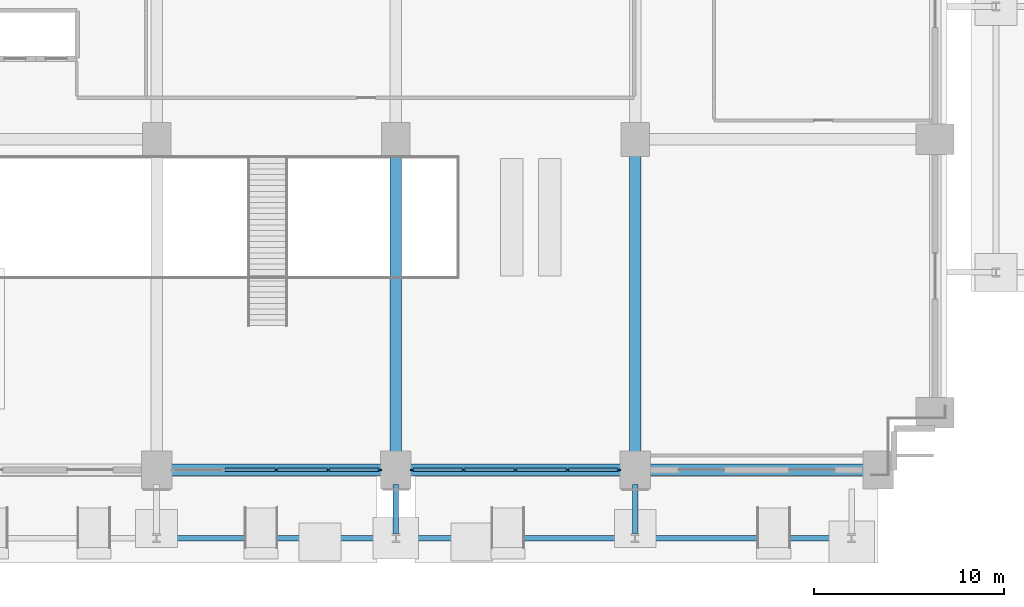
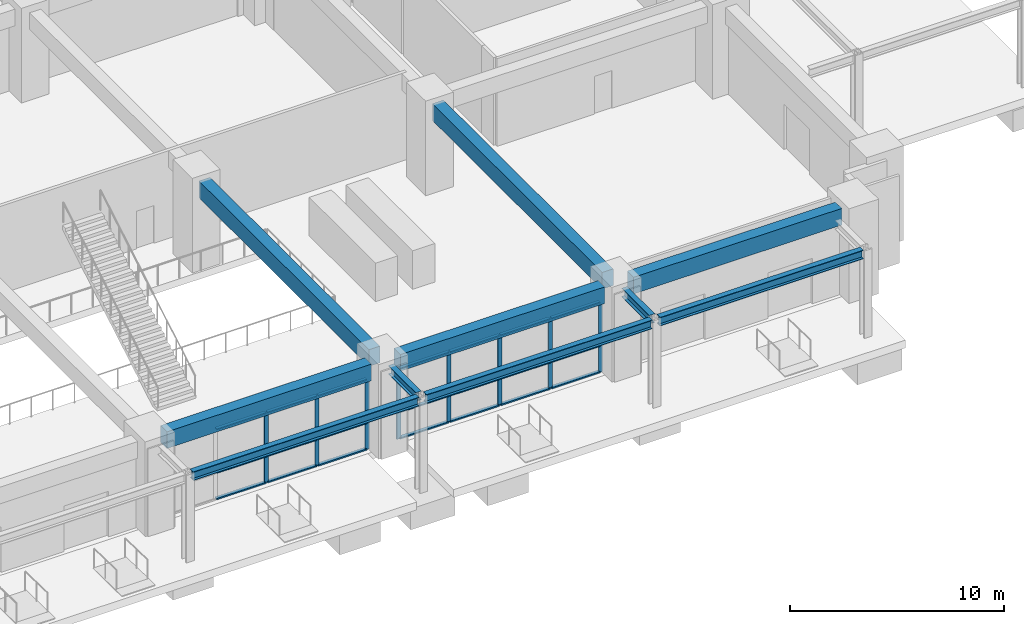
# One storey, part 3 of 14: 29 members, 10 beams, 2 elements without a shape of their own.
"""IFC4 building model written with IfcOpenShell, lengths in metres."""

from ifc_helpers import new_model, si_unit, direction, frame, origin, origin_2d, place, context, subcontext, project, spatial, rectangle, i_section, extrude, material, layer, layer_set, material_profile, profile_set, type_object, element, aggregate, save


model = new_model("IFC4")

# Units and contexts
model_context = context("Model", 3, precision=1e-05, world=origin(), true_north=direction((0.0, 1.0)))
body_context = subcontext(model_context, "Body", "Model", "MODEL_VIEW")
ifc_project = project(units=[si_unit("LENGTHUNIT", "METRE"), si_unit("AREAUNIT", "SQUARE_METRE"), si_unit("VOLUMEUNIT", "CUBIC_METRE"), si_unit("PLANEANGLEUNIT", "RADIAN"), si_unit("MASSUNIT", "GRAM", prefix="KILO")], contexts=[model_context])

# Site, building, storey
site_placement = place(None, origin())
site = spatial("IfcSite", under=ifc_project, at=site_placement, CompositionType="ELEMENT")
building_placement = place(site_placement, origin())
building = spatial("IfcBuilding", under=site, at=building_placement, Name="Sulina Concourse Tower", CompositionType="ELEMENT")
storey_placement = place(building_placement, origin())
storey = spatial("IfcBuildingStorey", under=building, at=storey_placement, Name="L00", CompositionType="ELEMENT", Elevation=0.0)

# Beams
ifc_material_1 = material(Name="Concrete C60/75", Category="concrete")
ifc_material_profile_1 = material_profile(ifc_material_1, rectangle(XDim=0.60009765625, YDim=0.949951171875, at=origin_2d()), Name="RC 600x950")
ifc_profile_set_1 = profile_set([ifc_material_profile_1], Name="Concrete C60/75")
beam_type_1 = type_object("IfcBeamType", Name="Basement & Podium Primary Beam 600x950", PredefinedType="BEAM", material=ifc_profile_set_1)
for number, where, z_axis, x_axis, name in (
    (1, (17.179931640625, 0.60009765625, 4.52490234375), (1.0, 0.0, 0.0), (0.0, 1.0, 0.0), "PB-S2-L00"),
    (2, (29.780029296875, 0.60009765625, 4.52490234375), (1.0, 0.0, 0.0), (0.0, 1.0, 0.0), "PB-S3-L00"),
):
    element("IfcBeam", number, at=place(storey_placement, frame(where, z_axis=z_axis, x_axis=x_axis)), inside=storey, type_object=beam_type_1, Name=name, PredefinedType="BEAM", context=body_context, shape_type="SweptSolid", body=[
        extrude(rectangle(XDim=0.60009765625, YDim=0.949951171875, at=origin_2d()), origin(), (0.0, 0.0, 1.0), 11.0400390625),
    ])
beam_1_placement = place(storey_placement, frame((42.3798828125, 0.60009765625, 4.52490234375), z_axis=(1.0, 0.0, 0.0), x_axis=(0.0, 1.0, 0.0)))
element("IfcBeam", 3, at=beam_1_placement, inside=storey, type_object=beam_type_1, Name="PB-S4-L00", PredefinedType="BEAM", context=body_context, shape_type="SweptSolid", body=[
    extrude(rectangle(XDim=0.60009765625, YDim=0.949951171875, at=origin_2d()), origin(), (0.0, 0.0, 1.0), 11.240234375),
])
for number, where, z_axis, x_axis, name in (
    (4, (29.0, 1.3798828125, 4.52490234375), (0.0, 1.0, 0.0), (-1.0, 0.0, 0.0), "PB-NS2A-L00"),
    (5, (41.60009765625, 1.3798828125, 4.52490234375), (0.0, 1.0, 0.0), (-1.0, 0.0, 0.0), "PB-NS3A-L00"),
):
    element("IfcBeam", number, at=place(storey_placement, frame(where, z_axis=z_axis, x_axis=x_axis)), inside=storey, type_object=beam_type_1, Name=name, PredefinedType="BEAM", context=body_context, shape_type="SweptSolid", body=[
        extrude(rectangle(XDim=0.60009765625, YDim=0.949951171875, at=origin_2d()), origin(), (0.0, 0.0, 1.0), 15.89013671875),
    ])
ifc_material_2 = material(Name="Steel S355", Category="steel")
ifc_material_profile_2 = material_profile(ifc_material_2, i_section(OverallWidth=0.300048828125, OverallDepth=0.5, WebThickness=0.014404296875, FlangeThickness=0.028076171875, at=origin_2d()), Name="HE 500 B")
ifc_profile_set_2 = profile_set([ifc_material_profile_2], Name="Steel S355")
beam_type_2 = type_object("IfcBeamType", Name="Crown & Canopy Primary Girder HE500B", PredefinedType="BEAM", material=ifc_profile_set_2)
for number, where, z_axis, x_axis, name in (
    (6, (16.610107421875, -3.0, 4.75), (1.0, 0.0, 0.0), (0.0, 1.0, 0.0), "CN-G2-L00"),
    (7, (29.2099609375, -3.0, 4.75), (1.0, 0.0, 0.0), (0.0, 1.0, 0.0), "CN-G3-L00"),
):
    element("IfcBeam", number, at=place(storey_placement, frame(where, z_axis=z_axis, x_axis=x_axis)), inside=storey, type_object=beam_type_2, Name=name, PredefinedType="BEAM", context=body_context, shape_type="SweptSolid", body=[
        extrude(i_section(OverallWidth=0.300048828125, OverallDepth=0.5, WebThickness=0.014404296875, FlangeThickness=0.028076171875, at=origin_2d()), origin(), (0.0, 0.0, 1.0), 12.179931640625),
    ])
beam_2_placement = place(storey_placement, frame((41.81005859375, -3.0, 4.75), z_axis=(1.0, 0.0, 0.0), x_axis=(0.0, 1.0, 0.0)))
element("IfcBeam", 8, at=beam_2_placement, inside=storey, type_object=beam_type_2, Name="CN-G4-L00", PredefinedType="BEAM", context=body_context, shape_type="SweptSolid", body=[
    extrude(i_section(OverallWidth=0.300048828125, OverallDepth=0.5, WebThickness=0.014404296875, FlangeThickness=0.028076171875, at=origin_2d()), origin(), (0.0, 0.0, 1.0), 10.97998046875),
])
for number, where, z_axis, x_axis, name in (
    (9, (29.0, -2.760009765625, 4.75), (0.0, 1.0, 0.0), (-1.0, 0.0, 0.0), "CN-T3-L00"),
    (10, (41.60009765625, -2.760009765625, 4.75), (0.0, 1.0, 0.0), (-1.0, 0.0, 0.0), "CN-T4-L00"),
):
    element("IfcBeam", number, at=place(storey_placement, frame(where, z_axis=z_axis, x_axis=x_axis)), inside=storey, type_object=beam_type_2, Name=name, PredefinedType="BEAM", context=body_context, shape_type="SweptSolid", body=[
        extrude(i_section(OverallWidth=0.300048828125, OverallDepth=0.5, WebThickness=0.014404296875, FlangeThickness=0.028076171875, at=origin_2d()), origin(), (0.0, 0.0, 1.0), 2.580078125),
    ])

# Curtain wall, members
ifc_material_3 = material(Name="Anodised bronze aluminium", Category="aluminium")
ifc_layer = layer(ifc_material_3, 0.239990234375)
ifc_layer_set = layer_set([ifc_layer], Name="Anodised bronze aluminium")
curtain_wall_type = type_object("IfcCurtainWallType", Name="Station Concourse Curtain Wall System", PredefinedType="NOTDEFINED", material=ifc_layer_set)
curtain_wall_1_placement = place(storey_placement, origin())
curtain_wall_1 = element("IfcCurtainWall", 11, at=curtain_wall_1_placement, inside=storey, type_object=curtain_wall_type, Name="L00 glazed curtain wall S2", PredefinedType="NOTDEFINED")
ifc_material_4 = material(Name="Anodised bronze aluminium", Category="aluminium")
ifc_material_profile_3 = material_profile(ifc_material_4, rectangle(XDim=0.074951171875, YDim=0.219970703125, at=origin_2d()), Name="MUL 75x220")
ifc_profile_set_3 = profile_set([ifc_material_profile_3], Name="Anodised bronze aluminium")
member_type_1 = type_object("IfcMemberType", Name="Station Concourse Curtain Wall System Mullion 75x220", PredefinedType="MULLION", material=ifc_profile_set_3)
member_1_placement = place(storey_placement, frame((28.142578125, 0.60009765625, 0.0), z_axis=(0.0, 0.0, 1.0), x_axis=(0.0, -1.0, 0.0)))
member_1 = element("IfcMember", 12, at=member_1_placement, type_object=member_type_1, Name="CW-01 mullion 1", PredefinedType="MULLION", context=body_context, shape_type="SweptSolid", body=[
    extrude(rectangle(XDim=0.074951171875, YDim=0.219970703125, at=origin_2d()), origin(), (0.0, 0.0, 1.0), 4.050048828125),
])
member_2_placement = place(storey_placement, frame((25.43994140625, 0.60009765625, 0.0), z_axis=(0.0, 0.0, 1.0), x_axis=(0.0, -1.0, 0.0)))
member_2 = element("IfcMember", 13, at=member_2_placement, type_object=member_type_1, Name="CW-01 mullion 2", PredefinedType="MULLION", context=body_context, shape_type="SweptSolid", body=[
    extrude(rectangle(XDim=0.074951171875, YDim=0.219970703125, at=origin_2d()), origin(), (0.0, 0.0, 1.0), 4.050048828125),
])
member_3_placement = place(storey_placement, frame((22.699951171875, 0.60009765625, 0.0), z_axis=(0.0, 0.0, 1.0), x_axis=(0.0, -1.0, 0.0)))
member_3 = element("IfcMember", 14, at=member_3_placement, type_object=member_type_1, Name="CW-01 mullion 3", PredefinedType="MULLION", context=body_context, shape_type="SweptSolid", body=[
    extrude(rectangle(XDim=0.074951171875, YDim=0.219970703125, at=origin_2d()), origin(), (0.0, 0.0, 1.0), 4.050048828125),
])

curtain_wall_2_placement = place(storey_placement, origin())
curtain_wall_2 = element("IfcCurtainWall", 15, at=curtain_wall_2_placement, inside=storey, type_object=curtain_wall_type, Name="L00 glazed curtain wall S3", PredefinedType="NOTDEFINED")
member_4_placement = place(storey_placement, frame((40.742431640625, 0.60009765625, 0.0), z_axis=(0.0, 0.0, 1.0), x_axis=(0.0, -1.0, 0.0)))
member_4 = element("IfcMember", 16, at=member_4_placement, type_object=member_type_1, Name="CW-01 mullion 1", PredefinedType="MULLION", context=body_context, shape_type="SweptSolid", body=[
    extrude(rectangle(XDim=0.074951171875, YDim=0.219970703125, at=origin_2d()), origin(), (0.0, 0.0, 1.0), 4.050048828125),
])
member_5_placement = place(storey_placement, frame((38.0400390625, 0.60009765625, 0.0), z_axis=(0.0, 0.0, 1.0), x_axis=(0.0, -1.0, 0.0)))
member_5 = element("IfcMember", 17, at=member_5_placement, type_object=member_type_1, Name="CW-01 mullion 2", PredefinedType="MULLION", context=body_context, shape_type="SweptSolid", body=[
    extrude(rectangle(XDim=0.074951171875, YDim=0.219970703125, at=origin_2d()), origin(), (0.0, 0.0, 1.0), 4.050048828125),
])
member_6_placement = place(storey_placement, frame((35.300048828125, 0.60009765625, 0.0), z_axis=(0.0, 0.0, 1.0), x_axis=(0.0, -1.0, 0.0)))
member_6 = element("IfcMember", 18, at=member_6_placement, type_object=member_type_1, Name="CW-01 mullion 3", PredefinedType="MULLION", context=body_context, shape_type="SweptSolid", body=[
    extrude(rectangle(XDim=0.074951171875, YDim=0.219970703125, at=origin_2d()), origin(), (0.0, 0.0, 1.0), 4.050048828125),
])
member_7_placement = place(storey_placement, frame((32.56005859375, 0.60009765625, 0.0), z_axis=(0.0, 0.0, 1.0), x_axis=(0.0, -1.0, 0.0)))
member_7 = element("IfcMember", 19, at=member_7_placement, type_object=member_type_1, Name="CW-01 mullion 4", PredefinedType="MULLION", context=body_context, shape_type="SweptSolid", body=[
    extrude(rectangle(XDim=0.074951171875, YDim=0.219970703125, at=origin_2d()), origin(), (0.0, 0.0, 1.0), 4.050048828125),
])
member_8_placement = place(storey_placement, frame((29.857421875, 0.60009765625, 0.0), z_axis=(0.0, 0.0, 1.0), x_axis=(0.0, -1.0, 0.0)))
member_8 = element("IfcMember", 20, at=member_8_placement, type_object=member_type_1, Name="CW-01 mullion 5", PredefinedType="MULLION", context=body_context, shape_type="SweptSolid", body=[
    extrude(rectangle(XDim=0.074951171875, YDim=0.219970703125, at=origin_2d()), origin(), (0.0, 0.0, 1.0), 4.050048828125),
])

# Member
ifc_material_5 = material(Name="Anodised bronze aluminium", Category="aluminium")
ifc_material_profile_4 = material_profile(ifc_material_5, rectangle(XDim=0.179931640625, YDim=0.074951171875, at=origin_2d()), Name="TRN 75x180")
ifc_profile_set_4 = profile_set([ifc_material_profile_4], Name="Anodised bronze aluminium")
member_type_2 = type_object("IfcMemberType", Name="Station Concourse Curtain Wall System Transom 75x180", PredefinedType="USERDEFINED", material=ifc_profile_set_4)
member_9_placement = place(storey_placement, frame((28.10498046875, 0.60009765625, 0.03759765625), z_axis=(-1.0, 0.0, 0.0), x_axis=(0.0, -1.0, 0.0)))
member_9 = element("IfcMember", 21, at=member_9_placement, type_object=member_type_2, Name="CW-01 transom 1.1", ObjectType="TRANSOM", PredefinedType="USERDEFINED", context=body_context, shape_type="SweptSolid", body=[
    extrude(rectangle(XDim=0.179931640625, YDim=0.074951171875, at=origin_2d()), origin(), (0.0, 0.0, 1.0), 2.62744140625),
])

member_10_placement = place(storey_placement, frame((28.10498046875, 0.60009765625, 1.5390625), z_axis=(-1.0, 0.0, 0.0), x_axis=(0.0, -1.0, 0.0)))
member_10 = element("IfcMember", 22, at=member_10_placement, type_object=member_type_2, Name="CW-01 transom 1.2", ObjectType="TRANSOM", PredefinedType="USERDEFINED", context=body_context, shape_type="SweptSolid", body=[
    extrude(rectangle(XDim=0.179931640625, YDim=0.074951171875, at=origin_2d()), origin(), (0.0, 0.0, 1.0), 2.62744140625),
])

member_11_placement = place(storey_placement, frame((28.10498046875, 0.60009765625, 4.012451171875), z_axis=(-1.0, 0.0, 0.0), x_axis=(0.0, -1.0, 0.0)))
member_11 = element("IfcMember", 23, at=member_11_placement, type_object=member_type_2, Name="CW-01 transom 1.3", ObjectType="TRANSOM", PredefinedType="USERDEFINED", context=body_context, shape_type="SweptSolid", body=[
    extrude(rectangle(XDim=0.179931640625, YDim=0.074951171875, at=origin_2d()), origin(), (0.0, 0.0, 1.0), 2.62744140625),
])

member_12_placement = place(storey_placement, frame((25.402587890625, 0.60009765625, 0.03759765625), z_axis=(-1.0, 0.0, 0.0), x_axis=(0.0, -1.0, 0.0)))
member_12 = element("IfcMember", 24, at=member_12_placement, type_object=member_type_2, Name="CW-01 transom 2.1", ObjectType="TRANSOM", PredefinedType="USERDEFINED", context=body_context, shape_type="SweptSolid", body=[
    extrude(rectangle(XDim=0.179931640625, YDim=0.074951171875, at=origin_2d()), origin(), (0.0, 0.0, 1.0), 2.6650390625),
])

member_13_placement = place(storey_placement, frame((25.402587890625, 0.60009765625, 1.5390625), z_axis=(-1.0, 0.0, 0.0), x_axis=(0.0, -1.0, 0.0)))
member_13 = element("IfcMember", 25, at=member_13_placement, type_object=member_type_2, Name="CW-01 transom 2.2", ObjectType="TRANSOM", PredefinedType="USERDEFINED", context=body_context, shape_type="SweptSolid", body=[
    extrude(rectangle(XDim=0.179931640625, YDim=0.074951171875, at=origin_2d()), origin(), (0.0, 0.0, 1.0), 2.6650390625),
])

member_14_placement = place(storey_placement, frame((25.402587890625, 0.60009765625, 4.012451171875), z_axis=(-1.0, 0.0, 0.0), x_axis=(0.0, -1.0, 0.0)))
member_14 = element("IfcMember", 26, at=member_14_placement, type_object=member_type_2, Name="CW-01 transom 2.3", ObjectType="TRANSOM", PredefinedType="USERDEFINED", context=body_context, shape_type="SweptSolid", body=[
    extrude(rectangle(XDim=0.179931640625, YDim=0.074951171875, at=origin_2d()), origin(), (0.0, 0.0, 1.0), 2.6650390625),
])

member_15_placement = place(storey_placement, frame((22.66259765625, 0.60009765625, 0.03759765625), z_axis=(-1.0, 0.0, 0.0), x_axis=(0.0, -1.0, 0.0)))
member_15 = element("IfcMember", 27, at=member_15_placement, type_object=member_type_2, Name="CW-01 transom 3.1", ObjectType="TRANSOM", PredefinedType="USERDEFINED", context=body_context, shape_type="SweptSolid", body=[
    extrude(rectangle(XDim=0.179931640625, YDim=0.074951171875, at=origin_2d()), origin(), (0.0, 0.0, 1.0), 2.6650390625),
])

member_16_placement = place(storey_placement, frame((22.66259765625, 0.60009765625, 1.5390625), z_axis=(-1.0, 0.0, 0.0), x_axis=(0.0, -1.0, 0.0)))
member_16 = element("IfcMember", 28, at=member_16_placement, type_object=member_type_2, Name="CW-01 transom 3.2", ObjectType="TRANSOM", PredefinedType="USERDEFINED", context=body_context, shape_type="SweptSolid", body=[
    extrude(rectangle(XDim=0.179931640625, YDim=0.074951171875, at=origin_2d()), origin(), (0.0, 0.0, 1.0), 2.6650390625),
])

member_17_placement = place(storey_placement, frame((22.66259765625, 0.60009765625, 4.012451171875), z_axis=(-1.0, 0.0, 0.0), x_axis=(0.0, -1.0, 0.0)))
member_17 = element("IfcMember", 29, at=member_17_placement, type_object=member_type_2, Name="CW-01 transom 3.3", ObjectType="TRANSOM", PredefinedType="USERDEFINED", context=body_context, shape_type="SweptSolid", body=[
    extrude(rectangle(XDim=0.179931640625, YDim=0.074951171875, at=origin_2d()), origin(), (0.0, 0.0, 1.0), 2.6650390625),
])

aggregate(curtain_wall_1, [member_1, member_2, member_3, member_9, member_10, member_11, member_12, member_13, member_14, member_15, member_16, member_17])

member_18_placement = place(storey_placement, frame((40.705078125, 0.60009765625, 0.03759765625), z_axis=(-1.0, 0.0, 0.0), x_axis=(0.0, -1.0, 0.0)))
member_18 = element("IfcMember", 30, at=member_18_placement, type_object=member_type_2, Name="CW-01 transom 1.1", ObjectType="TRANSOM", PredefinedType="USERDEFINED", context=body_context, shape_type="SweptSolid", body=[
    extrude(rectangle(XDim=0.179931640625, YDim=0.074951171875, at=origin_2d()), origin(), (0.0, 0.0, 1.0), 2.627685546875),
])

member_19_placement = place(storey_placement, frame((40.705078125, 0.60009765625, 1.5390625), z_axis=(-1.0, 0.0, 0.0), x_axis=(0.0, -1.0, 0.0)))
member_19 = element("IfcMember", 31, at=member_19_placement, type_object=member_type_2, Name="CW-01 transom 1.2", ObjectType="TRANSOM", PredefinedType="USERDEFINED", context=body_context, shape_type="SweptSolid", body=[
    extrude(rectangle(XDim=0.179931640625, YDim=0.074951171875, at=origin_2d()), origin(), (0.0, 0.0, 1.0), 2.627685546875),
])

member_20_placement = place(storey_placement, frame((40.705078125, 0.60009765625, 4.012451171875), z_axis=(-1.0, 0.0, 0.0), x_axis=(0.0, -1.0, 0.0)))
member_20 = element("IfcMember", 32, at=member_20_placement, type_object=member_type_2, Name="CW-01 transom 1.3", ObjectType="TRANSOM", PredefinedType="USERDEFINED", context=body_context, shape_type="SweptSolid", body=[
    extrude(rectangle(XDim=0.179931640625, YDim=0.074951171875, at=origin_2d()), origin(), (0.0, 0.0, 1.0), 2.627685546875),
])

member_21_placement = place(storey_placement, frame((38.00244140625, 0.60009765625, 0.03759765625), z_axis=(-1.0, 0.0, 0.0), x_axis=(0.0, -1.0, 0.0)))
member_21 = element("IfcMember", 33, at=member_21_placement, type_object=member_type_2, Name="CW-01 transom 2.1", ObjectType="TRANSOM", PredefinedType="USERDEFINED", context=body_context, shape_type="SweptSolid", body=[
    extrude(rectangle(XDim=0.179931640625, YDim=0.074951171875, at=origin_2d()), origin(), (0.0, 0.0, 1.0), 2.6650390625),
])

member_22_placement = place(storey_placement, frame((38.00244140625, 0.60009765625, 1.5390625), z_axis=(-1.0, 0.0, 0.0), x_axis=(0.0, -1.0, 0.0)))
member_22 = element("IfcMember", 34, at=member_22_placement, type_object=member_type_2, Name="CW-01 transom 2.2", ObjectType="TRANSOM", PredefinedType="USERDEFINED", context=body_context, shape_type="SweptSolid", body=[
    extrude(rectangle(XDim=0.179931640625, YDim=0.074951171875, at=origin_2d()), origin(), (0.0, 0.0, 1.0), 2.6650390625),
])

member_23_placement = place(storey_placement, frame((38.00244140625, 0.60009765625, 4.012451171875), z_axis=(-1.0, 0.0, 0.0), x_axis=(0.0, -1.0, 0.0)))
member_23 = element("IfcMember", 35, at=member_23_placement, type_object=member_type_2, Name="CW-01 transom 2.3", ObjectType="TRANSOM", PredefinedType="USERDEFINED", context=body_context, shape_type="SweptSolid", body=[
    extrude(rectangle(XDim=0.179931640625, YDim=0.074951171875, at=origin_2d()), origin(), (0.0, 0.0, 1.0), 2.6650390625),
])

member_24_placement = place(storey_placement, frame((35.262451171875, 0.60009765625, 0.03759765625), z_axis=(-1.0, 0.0, 0.0), x_axis=(0.0, -1.0, 0.0)))
member_24 = element("IfcMember", 36, at=member_24_placement, type_object=member_type_2, Name="CW-01 transom 3.1", ObjectType="TRANSOM", PredefinedType="USERDEFINED", context=body_context, shape_type="SweptSolid", body=[
    extrude(rectangle(XDim=0.179931640625, YDim=0.074951171875, at=origin_2d()), origin(), (0.0, 0.0, 1.0), 2.6650390625),
])

member_25_placement = place(storey_placement, frame((35.262451171875, 0.60009765625, 1.5390625), z_axis=(-1.0, 0.0, 0.0), x_axis=(0.0, -1.0, 0.0)))
member_25 = element("IfcMember", 37, at=member_25_placement, type_object=member_type_2, Name="CW-01 transom 3.2", ObjectType="TRANSOM", PredefinedType="USERDEFINED", context=body_context, shape_type="SweptSolid", body=[
    extrude(rectangle(XDim=0.179931640625, YDim=0.074951171875, at=origin_2d()), origin(), (0.0, 0.0, 1.0), 2.6650390625),
])

member_26_placement = place(storey_placement, frame((35.262451171875, 0.60009765625, 4.012451171875), z_axis=(-1.0, 0.0, 0.0), x_axis=(0.0, -1.0, 0.0)))
member_26 = element("IfcMember", 38, at=member_26_placement, type_object=member_type_2, Name="CW-01 transom 3.3", ObjectType="TRANSOM", PredefinedType="USERDEFINED", context=body_context, shape_type="SweptSolid", body=[
    extrude(rectangle(XDim=0.179931640625, YDim=0.074951171875, at=origin_2d()), origin(), (0.0, 0.0, 1.0), 2.6650390625),
])

member_27_placement = place(storey_placement, frame((32.5224609375, 0.60009765625, 0.03759765625), z_axis=(-1.0, 0.0, 0.0), x_axis=(0.0, -1.0, 0.0)))
member_27 = element("IfcMember", 39, at=member_27_placement, type_object=member_type_2, Name="CW-01 transom 4.1", ObjectType="TRANSOM", PredefinedType="USERDEFINED", context=body_context, shape_type="SweptSolid", body=[
    extrude(rectangle(XDim=0.179931640625, YDim=0.074951171875, at=origin_2d()), origin(), (0.0, 0.0, 1.0), 2.62744140625),
])

member_28_placement = place(storey_placement, frame((32.5224609375, 0.60009765625, 1.5390625), z_axis=(-1.0, 0.0, 0.0), x_axis=(0.0, -1.0, 0.0)))
member_28 = element("IfcMember", 40, at=member_28_placement, type_object=member_type_2, Name="CW-01 transom 4.2", ObjectType="TRANSOM", PredefinedType="USERDEFINED", context=body_context, shape_type="SweptSolid", body=[
    extrude(rectangle(XDim=0.179931640625, YDim=0.074951171875, at=origin_2d()), origin(), (0.0, 0.0, 1.0), 2.62744140625),
])

member_29_placement = place(storey_placement, frame((32.5224609375, 0.60009765625, 4.012451171875), z_axis=(-1.0, 0.0, 0.0), x_axis=(0.0, -1.0, 0.0)))
member_29 = element("IfcMember", 41, at=member_29_placement, type_object=member_type_2, Name="CW-01 transom 4.3", ObjectType="TRANSOM", PredefinedType="USERDEFINED", context=body_context, shape_type="SweptSolid", body=[
    extrude(rectangle(XDim=0.179931640625, YDim=0.074951171875, at=origin_2d()), origin(), (0.0, 0.0, 1.0), 2.62744140625),
])

aggregate(curtain_wall_2, [member_4, member_5, member_6, member_7, member_8, member_18, member_19, member_20, member_21, member_22, member_23, member_24, member_25, member_26, member_27, member_28, member_29])

save(model, "model.ifc")
